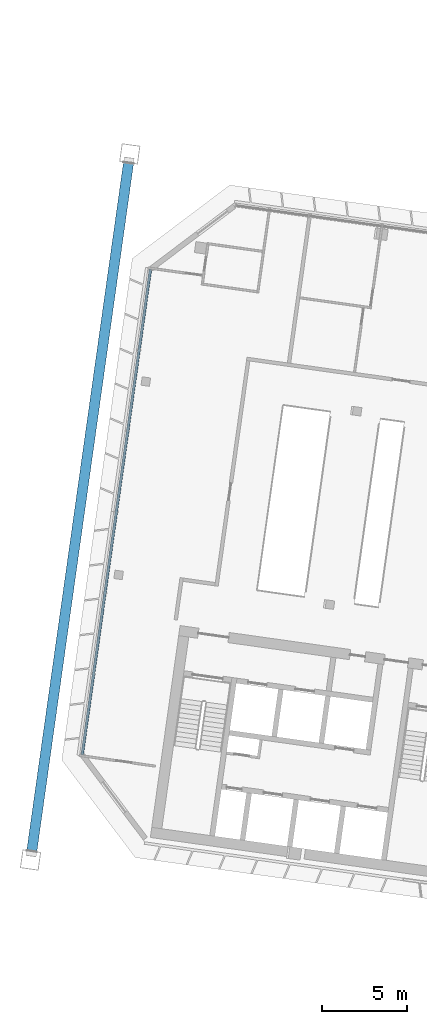
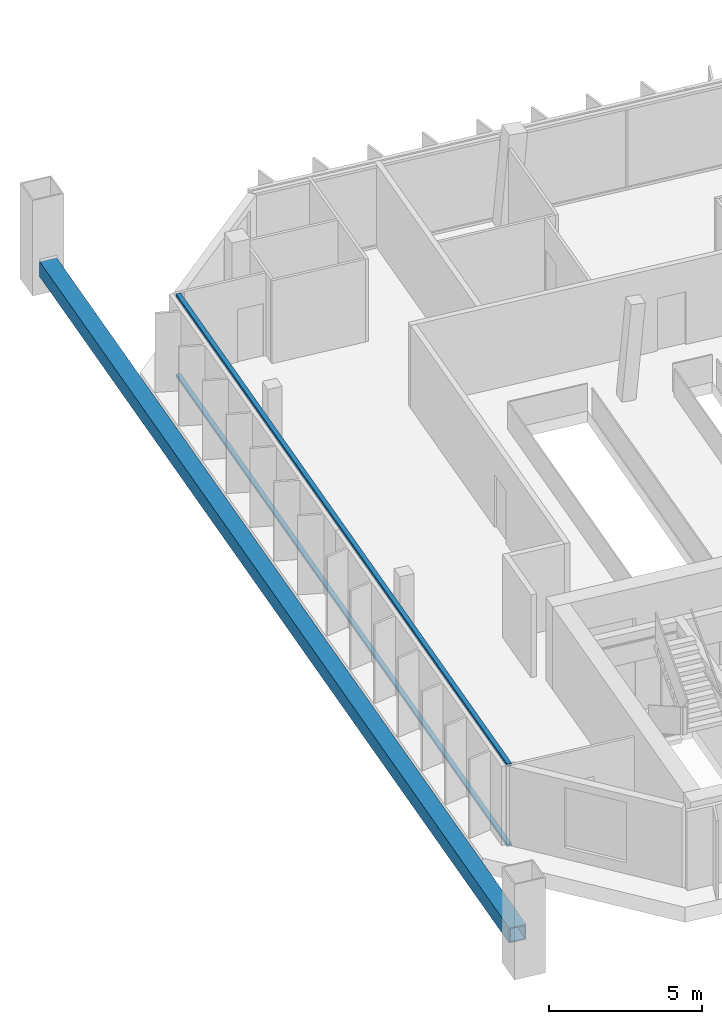
# One storey, part 3 of 36: 3 members, 1 element without a shape of its own.
"""IFC4 building model written with IfcOpenShell, lengths in metres."""

from ifc_helpers import new_model, si_unit, direction, frame, origin, origin_2d, place, context, subcontext, project, spatial, rectangle, hollow_rectangle, extrude, material, material_profile, profile_set, type_object, element, aggregate, save


model = new_model("IFC4")

# Units and contexts
model_context = context("Model", 3, precision=1e-05, world=origin(), true_north=direction((0.0, 1.0)))
body_context = subcontext(model_context, "Body", "Model", "MODEL_VIEW")
ifc_project = project(units=[si_unit("LENGTHUNIT", "METRE"), si_unit("AREAUNIT", "SQUARE_METRE"), si_unit("VOLUMEUNIT", "CUBIC_METRE"), si_unit("PLANEANGLEUNIT", "RADIAN"), si_unit("MASSUNIT", "GRAM", prefix="KILO")], contexts=[model_context])

# Site, building, storey
site_placement = place(None, origin())
site = spatial("IfcSite", under=ifc_project, at=site_placement, CompositionType="ELEMENT")
building_placement = place(site_placement, origin())
building = spatial("IfcBuilding", under=site, at=building_placement, Name="Mirante Cascada Hotel Towers", CompositionType="ELEMENT")
storey_placement = place(building_placement, frame((0.0, 0.0, 254.6)))
storey = spatial("IfcBuildingStorey", under=building, at=storey_placement, Name="L61", CompositionType="ELEMENT", Elevation=254.6)

# Member
ifc_material_1 = material(Name="Steel ASTM A572 Gr 50", Category="steel")
ifc_material_profile_1 = material_profile(ifc_material_1, hollow_rectangle(XDim=0.6, YDim=0.6, WallThickness=0.04, at=origin_2d()), Name="Box chord 600x600x40 ASTM A572 Gr 50")
ifc_profile_set_1 = profile_set([ifc_material_profile_1], Name="Steel ASTM A572 Gr 50")
member_type_1 = type_object("IfcMemberType", Name="Box chord 600x600x40 ASTM A572 Gr 50", PredefinedType="CHORD", material=ifc_profile_set_1)
member_1_placement = place(storey_placement, frame((-61.5666, -18.2348, 1.0), z_axis=(0.1391719, 0.9902682, 0.0), x_axis=(-0.9902682, 0.1391719, 0.0)))
element("IfcMember", 1, at=member_1_placement, inside=storey, type_object=member_type_1, Name="exochord T1 L61 2", PredefinedType="CHORD", context=body_context, shape_type="SweptSolid", body=[
    extrude(hollow_rectangle(XDim=0.6, YDim=0.6, WallThickness=0.04, at=origin_2d()), origin(), (0.0, 0.0, 1.0), 40.94),
])

# Curtain wall, members
ifc_material_2 = material(Name="Aluminium mullion and transom frame with clear laminated glass", Category="aluminium")
curtain_wall_type = type_object("IfcCurtainWallType", Name="End ribbon curtain wall ECW2", PredefinedType="NOTDEFINED", material=ifc_material_2)
curtain_wall_placement = place(storey_placement, origin())
curtain_wall = element("IfcCurtainWall", 2, at=curtain_wall_placement, inside=storey, type_object=curtain_wall_type, Name="Outer end wall T1 L61", PredefinedType="NOTDEFINED")
ifc_material_3 = material(Name="Anodised aluminium extrusion", Category="aluminium")
ifc_material_profile_2 = material_profile(ifc_material_3, rectangle(XDim=0.16, YDim=0.1, at=origin_2d()), Name="ECW2 TRANSOM 100x160")
ifc_profile_set_2 = profile_set([ifc_material_profile_2], Name="Anodised aluminium extrusion")
member_type_2 = type_object("IfcMemberType", Name="ECW2 transom 100x160", PredefinedType="USERDEFINED", material=ifc_profile_set_2)
member_2_placement = place(storey_placement, frame((-58.5981, -12.5606, 0.05), z_axis=(0.1391752, 0.9902678, 0.0), x_axis=(-0.9902678, 0.1391752, 0.0)))
member_2 = element("IfcMember", 3, at=member_2_placement, type_object=member_type_2, Name="ECW2 sill transom", ObjectType="TRANSOM", PredefinedType="USERDEFINED", context=body_context, shape_type="SweptSolid", body=[
    extrude(rectangle(XDim=0.16, YDim=0.1, at=origin_2d()), origin(), (0.0, 0.0, 1.0), 28.8758),
])
member_3_placement = place(storey_placement, frame((-58.5981, -12.5606, 3.25), z_axis=(0.1391752, 0.9902678, 0.0), x_axis=(-0.9902678, 0.1391752, 0.0)))
member_3 = element("IfcMember", 4, at=member_3_placement, type_object=member_type_2, Name="ECW2 head transom", ObjectType="TRANSOM", PredefinedType="USERDEFINED", context=body_context, shape_type="SweptSolid", body=[
    extrude(rectangle(XDim=0.16, YDim=0.1, at=origin_2d()), origin(), (0.0, 0.0, 1.0), 28.8758),
])
aggregate(curtain_wall, [member_2, member_3])

save(model, "model.ifc")
